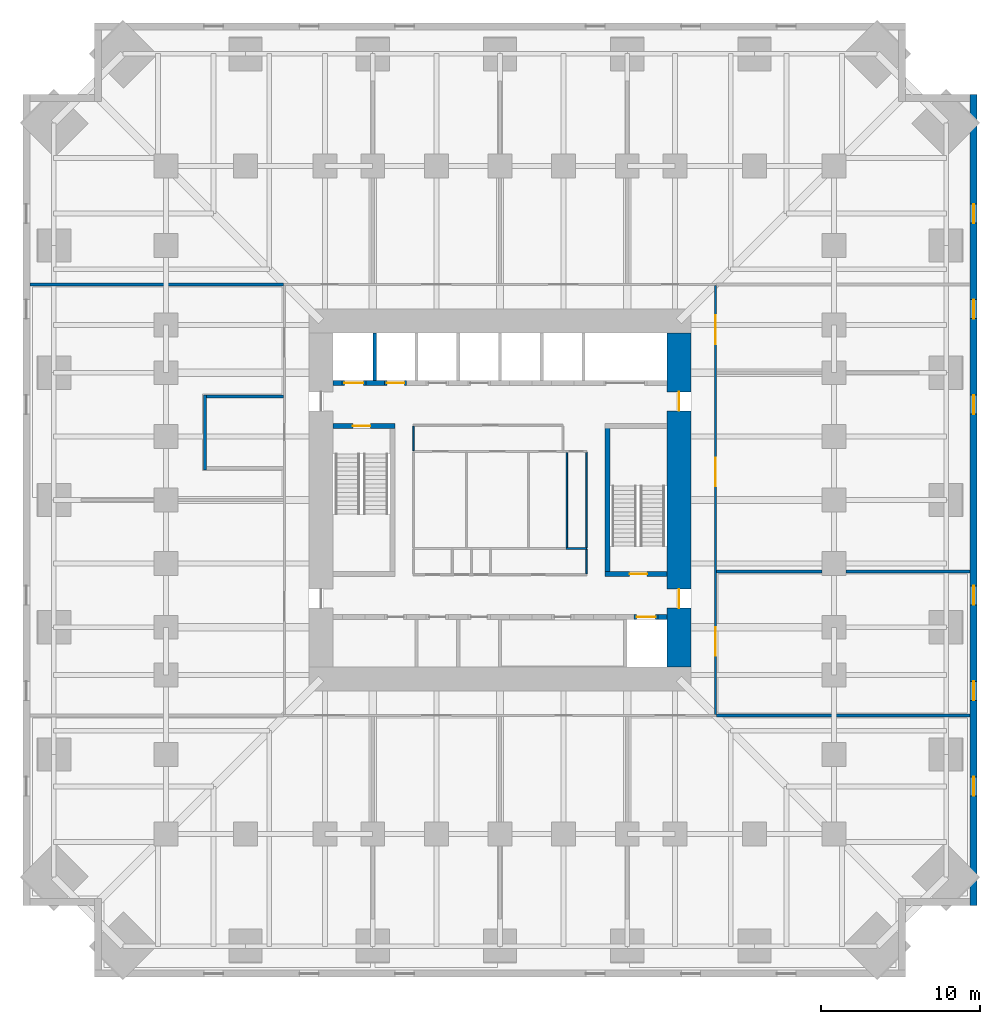
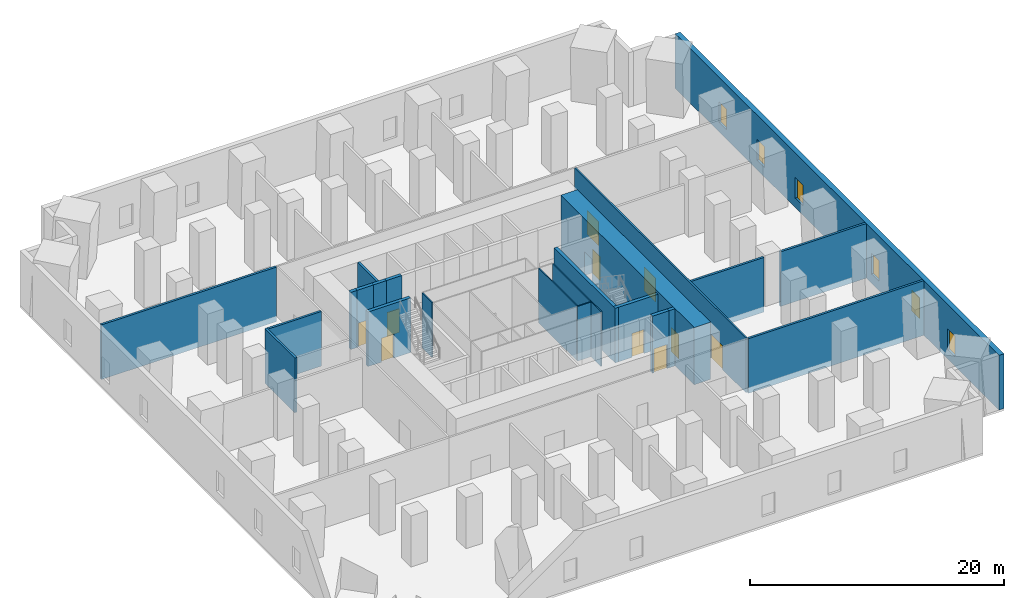
# One storey, part 5 of 8: 24 walls, 10 doors, 6 windows, 16 openings.
"""IFC4 building model written with IfcOpenShell, lengths in metres."""

import ifcopenshell
import ifcopenshell.guid

model = None  # the IFC model being written
_history = None  # IfcOwnerHistory: only IFC2X3 demands one
_inside = {}  # id of a spatial element -> (the spatial element, [elements in it])
_under = {}  # id of a project, library or spatial element -> (it, [spatial elements below it])
_declared = {}  # id of a project -> (the project, [libraries it declares])
_typed = {}  # id of a type object -> (the type object, [elements of that type])
_made_of = {}  # id of a material, layer set ... -> (it, [elements and type objects made of it])


def new_model(schema):
    """Start an empty IFC model of exactly this schema.

    Asked for "IFC4X3", IfcOpenShell would pick the latest addendum, in which some entities
    have other attributes; the version numbers below select the first issue.
    IFC2X3 requires an IfcOwnerHistory on every rooted entity: one is made here for all.
    """
    global model, _history
    if schema == "IFC4X3":
        model = ifcopenshell.file(schema_version=(4, 3, 0, 0))
    else:
        model = ifcopenshell.file(schema=schema)
    _inside.clear()
    _under.clear()
    _declared.clear()
    _typed.clear()
    _made_of.clear()
    _history = None
    if model.schema == "IFC2X3":
        org = make("IfcOrganization", Name="unknown")
        user = make(
            "IfcPersonAndOrganization",
            ThePerson=make("IfcPerson", FamilyName="unknown"),
            TheOrganization=org,
        )
        app = make(
            "IfcApplication",
            ApplicationDeveloper=org,
            Version="unknown",
            ApplicationFullName="unknown",
            ApplicationIdentifier="unknown",
        )
        _history = make(
            "IfcOwnerHistory",
            OwningUser=user,
            OwningApplication=app,
            ChangeAction="ADDED",
            CreationDate=0,
        )
    return model


def make(cls, **values):
    """One entity of the class cls with the attributes given. An attribute that is None is left unset."""
    return model.create_entity(
        cls, **{name: value for name, value in values.items() if value is not None}
    )


def rooted(cls, **values):
    """An entity with a GlobalId (a new one), such as an element, a storey or a relation."""
    return make(cls, GlobalId=ifcopenshell.guid.new(), OwnerHistory=_history, **values)


def si_unit(unit_type, name, prefix=None):
    """IfcSIUnit, for example si_unit("LENGTHUNIT", "METRE", prefix="MILLI")."""
    return make("IfcSIUnit", UnitType=unit_type, Prefix=prefix, Name=name)


def assignment(units):
    """IfcUnitAssignment: the units of a project."""
    return None if units is None else make("IfcUnitAssignment", Units=units)


def point(xyz):
    """IfcCartesianPoint."""
    return None if xyz is None else make("IfcCartesianPoint", Coordinates=xyz)


def direction(xyz):
    """IfcDirection."""
    return None if xyz is None else make("IfcDirection", DirectionRatios=xyz)


def frame(location, z_axis=None, x_axis=None):
    """IfcAxis2Placement3D, a coordinate frame: its origin and axes. An axis left out is left unset."""
    return make(
        "IfcAxis2Placement3D",
        Location=point(location),
        Axis=direction(z_axis),
        RefDirection=direction(x_axis),
    )


def frame_2d(location, x_axis=None):
    """IfcAxis2Placement2D, a coordinate frame in the plane: its origin and x axis."""
    return make(
        "IfcAxis2Placement2D", Location=point(location), RefDirection=direction(x_axis)
    )


def origin():
    """The frame at (0, 0, 0) with its axes left unset."""
    return frame((0.0, 0.0, 0.0))


def place(relative_to, where):
    """IfcLocalPlacement: puts the frame where relative to a parent placement (None: the world)."""
    return make(
        "IfcLocalPlacement", PlacementRelTo=relative_to, RelativePlacement=where
    )


def context(
    kind, dimensions, precision=None, world=None, true_north=None, identifier=None
):
    """IfcGeometricRepresentationContext, for example the 3D "Model" context."""
    return make(
        "IfcGeometricRepresentationContext",
        ContextIdentifier=identifier,
        ContextType=kind,
        CoordinateSpaceDimension=dimensions,
        Precision=precision,
        WorldCoordinateSystem=world,
        TrueNorth=true_north,
    )


def subcontext(parent, identifier, kind, view, scale=None):
    """IfcGeometricRepresentationSubContext, for example "Body" below "Model"."""
    return make(
        "IfcGeometricRepresentationSubContext",
        ContextIdentifier=identifier,
        ContextType=kind,
        ParentContext=parent,
        TargetScale=scale,
        TargetView=view,
    )


def project(units=None, contexts=None):
    """IfcProject with its units and contexts."""
    return rooted(
        "IfcProject",
        Name="project",
        RepresentationContexts=contexts,
        UnitsInContext=assignment(units),
    )


def spatial(cls, under=None, at=None, **own):
    """A site, building, storey or space (cls), placed at a placement, below another one or the project."""
    s = rooted(cls, ObjectPlacement=at, **own)
    if under is not None:
        _under.setdefault(under.id(), (under, []))[1].append(s)
    return s


def profile(cls, at=None, kind="AREA", **sizes):
    """A parametric profile (cls). Its sizes go by their IFC names, for example OverallWidth=200.0."""
    return make(cls, ProfileType=kind, Position=at, **sizes)


def rectangle(**sizes):
    """IfcRectangleProfileDef."""
    return profile("IfcRectangleProfileDef", **sizes)


def extrude(swept, where, along, depth):
    """IfcExtrudedAreaSolid: the profile swept, set in the frame where, extruded along a direction by depth."""
    return make(
        "IfcExtrudedAreaSolid",
        SweptArea=swept,
        Position=where,
        ExtrudedDirection=direction(along),
        Depth=depth,
    )


def shape(context_of_items, identifier, shape_type, items):
    """IfcShapeRepresentation: the items that make up one representation, for example the "Body"."""
    return make(
        "IfcShapeRepresentation",
        ContextOfItems=context_of_items,
        RepresentationIdentifier=identifier,
        RepresentationType=shape_type,
        Items=items,
    )


def material(Name=None, Category=None):
    """IfcMaterial."""
    return make("IfcMaterial", Name=Name, Category=Category)


def layer(
    of_material, thickness, ventilated=None, Name=None, Category=None, Priority=None
):
    """IfcMaterialLayer: one layer of a wall or slab, of a material (None: an air gap)."""
    return make(
        "IfcMaterialLayer",
        Material=of_material,
        LayerThickness=thickness,
        IsVentilated=ventilated,
        Name=Name,
        Category=Category,
        Priority=Priority,
    )


def layer_set(layers, Name=None):
    """IfcMaterialLayerSet."""
    return make("IfcMaterialLayerSet", MaterialLayers=layers, LayerSetName=Name)


def made_of(thing, what):
    """Note that an element or type object is made of a material, layer set ...; save() writes the relation."""
    if what is not None:
        _made_of.setdefault(what.id(), (what, []))[1].append(thing)
    return thing


def type_object(cls, material=None, **own):
    """A type object (cls), such as IfcWallType, which elements share."""
    return made_of(rooted(cls, **own), material)


def element(
    cls,
    number,
    at=None,
    inside=None,
    cuts=None,
    type_object=None,
    material=None,
    context=None,
    identifier="Body",
    shape_type=None,
    held_by="IfcProductDefinitionShape",
    body=None,
    shapes=None,
    **own,
):
    """One element of the class cls, such as IfcWall. Its Tag is "e" and its number.

    at: its placement. inside: the storey or other place that contains it. cuts: it is an
    opening in that element (IfcRelVoidsElement). A single representation is given by context,
    identifier, shape_type and body (its items); several are given by shapes. held_by: the class
    of the entity that holds the representations. save() writes the other relations.
    """
    e = rooted(cls, Tag="e%d" % number, ObjectPlacement=at, **own)
    if body is not None:
        shapes = [shape(context, identifier, shape_type, body)]
    if shapes is not None:
        e.Representation = make(held_by, Representations=shapes)
    if inside is not None:
        _inside.setdefault(inside.id(), (inside, []))[1].append(e)
    if cuts is not None:
        rooted(
            "IfcRelVoidsElement", RelatingBuildingElement=cuts, RelatedOpeningElement=e
        )
    if type_object is not None:
        _typed.setdefault(type_object.id(), (type_object, []))[1].append(e)
    return made_of(e, material)


def fill(opening, filler):
    """IfcRelFillsElement: the door or window that sits in an opening."""
    return rooted(
        "IfcRelFillsElement",
        RelatingOpeningElement=opening,
        RelatedBuildingElement=filler,
    )


def aggregate(whole, parts):
    """IfcRelAggregates: a whole, such as a stair, and the parts it consists of."""
    return rooted("IfcRelAggregates", RelatingObject=whole, RelatedObjects=parts)


def save(model, path):
    """Write the relations noted so far, then the file.

    IfcRelAggregates (storeys below a building ...), IfcRelContainedInSpatialStructure (elements
    in a storey), IfcRelDefinesByType, IfcRelAssociatesMaterial and IfcRelDeclares: one each for
    every whole, place, type object, material and project.
    """
    for whole, parts in _under.values():
        aggregate(whole, parts)
    for where, things in _inside.values():
        rooted(
            "IfcRelContainedInSpatialStructure",
            RelatedElements=things,
            RelatingStructure=where,
        )
    for kind, things in _typed.values():
        rooted("IfcRelDefinesByType", RelatedObjects=things, RelatingType=kind)
    for what, things in _made_of.values():
        rooted("IfcRelAssociatesMaterial", RelatedObjects=things, RelatingMaterial=what)
    for by, libraries in _declared.values():
        rooted("IfcRelDeclares", RelatingContext=by, RelatedDefinitions=libraries)
    model.write(path)


model = new_model("IFC4")

# Units and contexts
model_context = context("Model", 3, precision=1e-05, world=origin(), true_north=direction((0.0, 1.0)))
body_context = subcontext(model_context, "Body", "Model", "MODEL_VIEW")
ifc_project = project(units=[si_unit("LENGTHUNIT", "METRE"), si_unit("AREAUNIT", "SQUARE_METRE"), si_unit("VOLUMEUNIT", "CUBIC_METRE"), si_unit("PLANEANGLEUNIT", "RADIAN"), si_unit("MASSUNIT", "GRAM", prefix="KILO")], contexts=[model_context])

# Site, building, storey
site_placement = place(None, origin())
site = spatial("IfcSite", under=ifc_project, at=site_placement, CompositionType="ELEMENT")
building_placement = place(site_placement, origin())
building = spatial("IfcBuilding", under=site, at=building_placement, Name="Peilmerk Tower", CompositionType="ELEMENT")
storey_placement = place(building_placement, frame((0.0, 0.0, 70.5)))
storey = spatial("IfcBuildingStorey", under=building, at=storey_placement, Name="L13", CompositionType="ELEMENT", Elevation=70.5)

# Wall, openings, windows
ifc_material_1 = material(Name="Precast concrete C45/55, board-marked finish", Category="concrete")
ifc_layer_1 = layer(ifc_material_1, 0.449951171875)
ifc_layer_set_1 = layer_set([ifc_layer_1], Name="Precast concrete C45/55, board-marked finish")
wall_type_1 = type_object("IfcWallType", Name="EW1 450 precast concrete facade wall, board-marked", PredefinedType="SOLIDWALL", material=ifc_layer_set_1)
wall_1_placement = place(storey_placement, frame((29.77490234375, -25.5, 0.0), z_axis=(0.0, 0.0, 1.0), x_axis=(0.0, 1.0, 0.0)))
wall_1 = element("IfcWall", 1, at=wall_1_placement, inside=storey, type_object=wall_type_1, Name="Facade wall E L13", PredefinedType="SOLIDWALL", context=body_context, shape_type="SweptSolid", body=[
    extrude(rectangle(XDim=51.0, YDim=0.449951171875, at=frame_2d((25.5, 0.0))), origin(), (0.0, 0.0, 1.0), 5.25),
])
opening_1_placement = place(wall_1_placement, frame((6.89990234375, 0.0, 0.89990234375)))
opening_1 = element("IfcOpeningElement", 2, at=opening_1_placement, cuts=wall_1, Name="Opening W2", PredefinedType="OPENING", context=body_context, shape_type="SweptSolid", body=[
    extrude(rectangle(XDim=1.199951171875, YDim=2.0, at=frame_2d((0.60009765625, 1.0))), frame((0.0, 0.23486328125, 0.0), z_axis=(0.0, -1.0, 0.0), x_axis=(1.0, 0.0, 0.0)), (0.0, 0.0, 1.0), 0.469970703125),
])
opening_2_placement = place(wall_1_placement, frame((12.89990234375, 0.0, 0.89990234375)))
opening_2 = element("IfcOpeningElement", 3, at=opening_2_placement, cuts=wall_1, Name="Opening W2", PredefinedType="OPENING", context=body_context, shape_type="SweptSolid", body=[
    extrude(rectangle(XDim=1.199951171875, YDim=2.0, at=frame_2d((0.60009765625, 1.0))), frame((0.0, 0.23486328125, 0.0), z_axis=(0.0, -1.0, 0.0), x_axis=(1.0, 0.0, 0.0)), (0.0, 0.0, 1.0), 0.469970703125),
])
opening_3_placement = place(wall_1_placement, frame((18.89990234375, 0.0, 0.89990234375)))
opening_3 = element("IfcOpeningElement", 4, at=opening_3_placement, cuts=wall_1, Name="Opening W2", PredefinedType="OPENING", context=body_context, shape_type="SweptSolid", body=[
    extrude(rectangle(XDim=1.199951171875, YDim=2.0, at=frame_2d((0.60009765625, 1.0))), frame((0.0, 0.23486328125, 0.0), z_axis=(0.0, -1.0, 0.0), x_axis=(1.0, 0.0, 0.0)), (0.0, 0.0, 1.0), 0.469970703125),
])
opening_4_placement = place(wall_1_placement, frame((30.89990234375, 0.0, 0.89990234375)))
opening_4 = element("IfcOpeningElement", 5, at=opening_4_placement, cuts=wall_1, Name="Opening W2", PredefinedType="OPENING", context=body_context, shape_type="SweptSolid", body=[
    extrude(rectangle(XDim=1.199951171875, YDim=2.0, at=frame_2d((0.60009765625, 1.0))), frame((0.0, 0.23486328125, 0.0), z_axis=(0.0, -1.0, 0.0), x_axis=(1.0, 0.0, 0.0)), (0.0, 0.0, 1.0), 0.469970703125),
])
opening_5_placement = place(wall_1_placement, frame((36.89990234375, 0.0, 0.89990234375)))
opening_5 = element("IfcOpeningElement", 6, at=opening_5_placement, cuts=wall_1, Name="Opening W2", PredefinedType="OPENING", context=body_context, shape_type="SweptSolid", body=[
    extrude(rectangle(XDim=1.199951171875, YDim=2.0, at=frame_2d((0.60009765625, 1.0))), frame((0.0, 0.23486328125, 0.0), z_axis=(0.0, -1.0, 0.0), x_axis=(1.0, 0.0, 0.0)), (0.0, 0.0, 1.0), 0.469970703125),
])
opening_6_placement = place(wall_1_placement, frame((42.89990234375, 0.0, 0.89990234375)))
opening_6 = element("IfcOpeningElement", 7, at=opening_6_placement, cuts=wall_1, Name="Opening W2", PredefinedType="OPENING", context=body_context, shape_type="SweptSolid", body=[
    extrude(rectangle(XDim=1.199951171875, YDim=2.0, at=frame_2d((0.60009765625, 1.0))), frame((0.0, 0.23486328125, 0.0), z_axis=(0.0, -1.0, 0.0), x_axis=(1.0, 0.0, 0.0)), (0.0, 0.0, 1.0), 0.469970703125),
])
ifc_material_2 = material(Name="Aluminium frame, clear double glazing", Category="aluminium")
window_type = type_object("IfcWindowType", Name="W2 1200x2000 data hall slot window", PartitioningType="SINGLE_PANEL", PredefinedType="WINDOW", material=ifc_material_2)
window_1_placement = place(opening_1_placement, origin())
window_1 = element("IfcWindow", 8, at=window_1_placement, inside=storey, type_object=window_type, Name="Window W2 L13", OverallHeight=2.0, OverallWidth=1.199951171875, PartitioningType="SINGLE_PANEL", PredefinedType="WINDOW", context=body_context, shape_type="SweptSolid", body=[
    extrude(rectangle(XDim=1.199951171875, YDim=2.0, at=frame_2d((0.60009765625, 1.0))), frame((0.0, 0.030029296875, 0.0), z_axis=(0.0, -1.0, 0.0), x_axis=(1.0, 0.0, 0.0)), (0.0, 0.0, 1.0), 0.06005859375),
])
fill(opening_1, window_1)
window_2_placement = place(opening_2_placement, origin())
window_2 = element("IfcWindow", 9, at=window_2_placement, inside=storey, type_object=window_type, Name="Window W2 L13", OverallHeight=2.0, OverallWidth=1.199951171875, PartitioningType="SINGLE_PANEL", PredefinedType="WINDOW", context=body_context, shape_type="SweptSolid", body=[
    extrude(rectangle(XDim=1.199951171875, YDim=2.0, at=frame_2d((0.60009765625, 1.0))), frame((0.0, 0.030029296875, 0.0), z_axis=(0.0, -1.0, 0.0), x_axis=(1.0, 0.0, 0.0)), (0.0, 0.0, 1.0), 0.06005859375),
])
fill(opening_2, window_2)
window_3_placement = place(opening_3_placement, origin())
window_3 = element("IfcWindow", 10, at=window_3_placement, inside=storey, type_object=window_type, Name="Window W2 L13", OverallHeight=2.0, OverallWidth=1.199951171875, PartitioningType="SINGLE_PANEL", PredefinedType="WINDOW", context=body_context, shape_type="SweptSolid", body=[
    extrude(rectangle(XDim=1.199951171875, YDim=2.0, at=frame_2d((0.60009765625, 1.0))), frame((0.0, 0.030029296875, 0.0), z_axis=(0.0, -1.0, 0.0), x_axis=(1.0, 0.0, 0.0)), (0.0, 0.0, 1.0), 0.06005859375),
])
fill(opening_3, window_3)
window_4_placement = place(opening_4_placement, origin())
window_4 = element("IfcWindow", 11, at=window_4_placement, inside=storey, type_object=window_type, Name="Window W2 L13", OverallHeight=2.0, OverallWidth=1.199951171875, PartitioningType="SINGLE_PANEL", PredefinedType="WINDOW", context=body_context, shape_type="SweptSolid", body=[
    extrude(rectangle(XDim=1.199951171875, YDim=2.0, at=frame_2d((0.60009765625, 1.0))), frame((0.0, 0.030029296875, 0.0), z_axis=(0.0, -1.0, 0.0), x_axis=(1.0, 0.0, 0.0)), (0.0, 0.0, 1.0), 0.06005859375),
])
fill(opening_4, window_4)
window_5_placement = place(opening_5_placement, origin())
window_5 = element("IfcWindow", 12, at=window_5_placement, inside=storey, type_object=window_type, Name="Window W2 L13", OverallHeight=2.0, OverallWidth=1.199951171875, PartitioningType="SINGLE_PANEL", PredefinedType="WINDOW", context=body_context, shape_type="SweptSolid", body=[
    extrude(rectangle(XDim=1.199951171875, YDim=2.0, at=frame_2d((0.60009765625, 1.0))), frame((0.0, 0.030029296875, 0.0), z_axis=(0.0, -1.0, 0.0), x_axis=(1.0, 0.0, 0.0)), (0.0, 0.0, 1.0), 0.06005859375),
])
fill(opening_5, window_5)
window_6_placement = place(opening_6_placement, origin())
window_6 = element("IfcWindow", 13, at=window_6_placement, inside=storey, type_object=window_type, Name="Window W2 L13", OverallHeight=2.0, OverallWidth=1.199951171875, PartitioningType="SINGLE_PANEL", PredefinedType="WINDOW", context=body_context, shape_type="SweptSolid", body=[
    extrude(rectangle(XDim=1.199951171875, YDim=2.0, at=frame_2d((0.60009765625, 1.0))), frame((0.0, 0.030029296875, 0.0), z_axis=(0.0, -1.0, 0.0), x_axis=(1.0, 0.0, 0.0)), (0.0, 0.0, 1.0), 0.06005859375),
])
fill(opening_6, window_6)

# Wall, openings, doors
ifc_material_3 = material(Name="Calcium silicate block", Category="masonry")
ifc_layer_2 = layer(ifc_material_3, 0.14990234375)
ifc_layer_set_2 = layer_set([ifc_layer_2], Name="Calcium silicate block")
wall_type_2 = type_object("IfcWallType", Name="IW1 150 corridor partition, EI 60", PredefinedType="PARTITIONING", material=ifc_layer_set_2)
wall_2_placement = place(storey_placement, frame((13.550048828125, -13.47509765625, 0.0), z_axis=(0.0, 0.0, 1.0), x_axis=(0.0, 1.0, 0.0)))
wall_2 = element("IfcWall", 14, at=wall_2_placement, inside=storey, type_object=wall_type_2, Name="Corridor wall E L13", PredefinedType="PARTITIONING", context=body_context, shape_type="SweptSolid", body=[
    extrude(rectangle(XDim=26.9501953125, YDim=0.14990234375, at=frame_2d((13.47509765625, 0.0))), origin(), (0.0, 0.0, 1.0), 5.25),
])
opening_7_placement = place(wall_2_placement, frame((3.675048828125, 0.0, 0.0)))
opening_7 = element("IfcOpeningElement", 15, at=opening_7_placement, cuts=wall_2, Name="Opening D2", PredefinedType="OPENING", context=body_context, shape_type="SweptSolid", body=[
    extrude(rectangle(XDim=1.800048828125, YDim=2.300048828125, at=frame_2d((0.89990234375, 1.14990234375))), frame((0.0, 0.0849609375, 0.0), z_axis=(0.0, -1.0, 0.0), x_axis=(1.0, 0.0, 0.0)), (0.0, 0.0, 1.0), 0.169921875),
])
opening_8_placement = place(wall_2_placement, frame((14.324951171875, 0.0, 0.0)))
opening_8 = element("IfcOpeningElement", 16, at=opening_8_placement, cuts=wall_2, Name="Opening D2", PredefinedType="OPENING", context=body_context, shape_type="SweptSolid", body=[
    extrude(rectangle(XDim=1.800048828125, YDim=2.300048828125, at=frame_2d((0.89990234375, 1.14990234375))), frame((0.0, 0.0849609375, 0.0), z_axis=(0.0, -1.0, 0.0), x_axis=(1.0, 0.0, 0.0)), (0.0, 0.0, 1.0), 0.169921875),
])
opening_9_placement = place(wall_2_placement, frame((23.27490234375, 0.0, 0.0)))
opening_9 = element("IfcOpeningElement", 17, at=opening_9_placement, cuts=wall_2, Name="Opening D2", PredefinedType="OPENING", context=body_context, shape_type="SweptSolid", body=[
    extrude(rectangle(XDim=1.800048828125, YDim=2.300048828125, at=frame_2d((0.89990234375, 1.14990234375))), frame((0.0, 0.0849609375, 0.0), z_axis=(0.0, -1.0, 0.0), x_axis=(1.0, 0.0, 0.0)), (0.0, 0.0, 1.0), 0.169921875),
])
ifc_material_4 = material(Name="Steel door in steel frame", Category="steel")
door_type_1 = type_object("IfcDoorType", Name="D2 1800x2300 double door, EI2 60", OperationType="DOUBLE_DOOR_DOUBLE_SWING", PredefinedType="DOOR", material=ifc_material_4)
door_1_placement = place(opening_7_placement, frame((1.800048828125, 0.0, 0.0), z_axis=(0.0, 0.0, 1.0), x_axis=(-1.0, 0.0, 0.0)))
door_1 = element("IfcDoor", 18, at=door_1_placement, inside=storey, type_object=door_type_1, Name="Door UPS room L13", OperationType="DOUBLE_DOOR_DOUBLE_SWING", OverallHeight=2.300048828125, OverallWidth=1.800048828125, PredefinedType="DOOR", context=body_context, shape_type="SweptSolid", body=[
    extrude(rectangle(XDim=1.800048828125, YDim=2.300048828125, at=frame_2d((0.89990234375, 1.14990234375))), frame((0.0, 0.02490234375, 0.0), z_axis=(0.0, -1.0, 0.0), x_axis=(1.0, 0.0, 0.0)), (0.0, 0.0, 1.0), 0.050048828125),
])
fill(opening_7, door_1)
door_2_placement = place(opening_8_placement, frame((1.800048828125, 0.0, 0.0), z_axis=(0.0, 0.0, 1.0), x_axis=(-1.0, 0.0, 0.0)))
door_2 = element("IfcDoor", 19, at=door_2_placement, inside=storey, type_object=door_type_1, Name="Door Battery room L13", OperationType="DOUBLE_DOOR_DOUBLE_SWING", OverallHeight=2.300048828125, OverallWidth=1.800048828125, PredefinedType="DOOR", context=body_context, shape_type="SweptSolid", body=[
    extrude(rectangle(XDim=1.800048828125, YDim=2.300048828125, at=frame_2d((0.89990234375, 1.14990234375))), frame((0.0, 0.02490234375, 0.0), z_axis=(0.0, -1.0, 0.0), x_axis=(1.0, 0.0, 0.0)), (0.0, 0.0, 1.0), 0.050048828125),
])
fill(opening_8, door_2)
door_3_placement = place(opening_9_placement, frame((1.800048828125, 0.0, 0.0), z_axis=(0.0, 0.0, 1.0), x_axis=(-1.0, 0.0, 0.0)))
door_3 = element("IfcDoor", 20, at=door_3_placement, inside=storey, type_object=door_type_1, Name="Door Switchgear room L13", OperationType="DOUBLE_DOOR_DOUBLE_SWING", OverallHeight=2.300048828125, OverallWidth=1.800048828125, PredefinedType="DOOR", context=body_context, shape_type="SweptSolid", body=[
    extrude(rectangle(XDim=1.800048828125, YDim=2.300048828125, at=frame_2d((0.89990234375, 1.14990234375))), frame((0.0, 0.02490234375, 0.0), z_axis=(0.0, -1.0, 0.0), x_axis=(1.0, 0.0, 0.0)), (0.0, 0.0, 1.0), 0.050048828125),
])
fill(opening_9, door_3)

# Walls
ifc_layer_3 = layer(ifc_material_3, 0.199951171875)
ifc_layer_set_3 = layer_set([ifc_layer_3], Name="Calcium silicate block")
wall_type_3 = type_object("IfcWallType", Name="IW2 200 room separating wall, EI 120", PredefinedType="PARTITIONING", material=ifc_layer_set_3)
for number, where, z_axis, x_axis, name in (
    (21, (-29.550048828125, 13.550048828125, 0.0), (0.0, 0.0, 1.0), (1.0, 0.0, 0.0), "Room separating wall NW L13"),
    (22, (29.550048828125, -13.550048828125, 0.0), (0.0, 0.0, 1.0), (-1.0, 0.0, 0.0), "Room separating wall SE L13"),
):
    element("IfcWall", number, at=place(storey_placement, frame(where, z_axis=z_axis, x_axis=x_axis)), inside=storey, type_object=wall_type_3, Name=name, PredefinedType="PARTITIONING", context=body_context, shape_type="SweptSolid", body=[
        extrude(rectangle(XDim=15.925048828125, YDim=0.199951171875, at=frame_2d((7.96240234375, 0.0))), origin(), (0.0, 0.0, 1.0), 5.25),
    ])
wall_3_placement = place(storey_placement, frame((13.625, -4.5, 0.0), z_axis=(0.0, 0.0, 1.0), x_axis=(1.0, 0.0, 0.0)))
element("IfcWall", 23, at=wall_3_placement, inside=storey, type_object=wall_type_3, Name="Room separating wall E1 L13", PredefinedType="PARTITIONING", context=body_context, shape_type="SweptSolid", body=[
    extrude(rectangle(XDim=6.625, YDim=0.199951171875, at=frame_2d((3.3125, 0.0))), origin(), (0.0, 0.0, 1.0), 5.25),
])
wall_4_placement = place(storey_placement, frame((21.75, -4.5, 0.0), z_axis=(0.0, 0.0, 1.0), x_axis=(1.0, 0.0, 0.0)))
element("IfcWall", 24, at=wall_4_placement, inside=storey, type_object=wall_type_3, Name="Room separating wall E1b L13", PredefinedType="PARTITIONING", context=body_context, shape_type="SweptSolid", body=[
    extrude(rectangle(XDim=7.800048828125, YDim=0.199951171875, at=frame_2d((3.89990234375, 0.0))), origin(), (0.0, 0.0, 1.0), 5.25),
])
wall_5_placement = place(storey_placement, frame((-18.550048828125, 1.89990234375, 0.0), z_axis=(0.0, 0.0, 1.0), x_axis=(0.0, 1.0, 0.0)))
element("IfcWall", 25, at=wall_5_placement, inside=storey, type_object=wall_type_3, Name="Room separating wall Operations office L13", PredefinedType="PARTITIONING", context=body_context, shape_type="SweptSolid", body=[
    extrude(rectangle(XDim=4.7001953125, YDim=0.199951171875, at=frame_2d((2.35009765625, 0.0))), origin(), (0.0, 0.0, 1.0), 5.25),
])
wall_6_placement = place(storey_placement, frame((-13.625, 6.5, 0.0), z_axis=(0.0, 0.0, 1.0), x_axis=(-1.0, 0.0, 0.0)))
element("IfcWall", 26, at=wall_6_placement, inside=storey, type_object=wall_type_3, Name="Room separating wall Operations office L13", PredefinedType="PARTITIONING", context=body_context, shape_type="SweptSolid", body=[
    extrude(rectangle(XDim=4.824951171875, YDim=0.199951171875, at=frame_2d((2.41259765625, 0.0))), origin(), (0.0, 0.0, 1.0), 5.25),
])

# Wall, opening, door
ifc_material_5 = material(Name="Concrete C35/45", Category="concrete")
ifc_layer_4 = layer(ifc_material_5, 0.300048828125)
ifc_layer_set_4 = layer_set([ifc_layer_4], Name="Concrete C35/45")
wall_type_4 = type_object("IfcWallType", Name="IW3 300 concrete stair enclosure wall, EI 120", PredefinedType="SOLIDWALL", material=ifc_layer_set_4)
wall_7_placement = place(storey_placement, frame((-10.5, 4.64990234375, 0.0), z_axis=(0.0, 0.0, 1.0), x_axis=(1.0, 0.0, 0.0)))
wall_7 = element("IfcWall", 27, at=wall_7_placement, inside=storey, type_object=wall_type_4, Name="Stair 1 enclosure L13", PredefinedType="SOLIDWALL", context=body_context, shape_type="SweptSolid", body=[
    extrude(rectangle(XDim=3.89990234375, YDim=0.300048828125, at=frame_2d((1.949951171875, 0.0))), origin(), (0.0, 0.0, 1.0), 5.25),
])
opening_10_placement = place(wall_7_placement, frame((1.25, 0.0, 0.0)))
opening_10 = element("IfcOpeningElement", 28, at=opening_10_placement, cuts=wall_7, Name="Opening D4", PredefinedType="OPENING", context=body_context, shape_type="SweptSolid", body=[
    extrude(rectangle(XDim=1.10009765625, YDim=2.300048828125, at=frame_2d((0.550048828125, 1.14990234375))), frame((0.0, 0.159912109375, 0.0), z_axis=(0.0, -1.0, 0.0), x_axis=(1.0, 0.0, 0.0)), (0.0, 0.0, 1.0), 0.320068359375),
])
door_type_2 = type_object("IfcDoorType", Name="D4 1100x2300 stair door, EI2 60", OperationType="SINGLE_SWING_RIGHT", PredefinedType="DOOR", material=ifc_material_4)
door_4_placement = place(opening_10_placement, frame((1.10009765625, 0.0, 0.0), z_axis=(0.0, 0.0, 1.0), x_axis=(-1.0, 0.0, 0.0)))
door_4 = element("IfcDoor", 29, at=door_4_placement, inside=storey, type_object=door_type_2, Name="Stair 1 door L13", OperationType="SINGLE_SWING_RIGHT", OverallHeight=2.300048828125, OverallWidth=1.10009765625, PredefinedType="DOOR", context=body_context, shape_type="SweptSolid", body=[
    extrude(rectangle(XDim=1.10009765625, YDim=2.300048828125, at=frame_2d((0.550048828125, 1.14990234375))), frame((0.0, 0.02490234375, 0.0), z_axis=(0.0, -1.0, 0.0), x_axis=(1.0, 0.0, 0.0)), (0.0, 0.0, 1.0), 0.050048828125),
])
fill(opening_10, door_4)

# Wall
wall_8_placement = place(storey_placement, frame((6.75, -4.800048828125, 0.0), z_axis=(0.0, 0.0, 1.0), x_axis=(0.0, 1.0, 0.0)))
element("IfcWall", 30, at=wall_8_placement, inside=storey, type_object=wall_type_4, Name="Stair 2 enclosure L13", PredefinedType="SOLIDWALL", context=body_context, shape_type="SweptSolid", body=[
    extrude(rectangle(XDim=9.60009765625, YDim=0.300048828125, at=frame_2d((4.800048828125, 0.0))), origin(), (0.0, 0.0, 1.0), 5.25),
])

# Wall, opening, door
wall_9_placement = place(storey_placement, frame((10.5, -4.64990234375, 0.0), z_axis=(0.0, 0.0, 1.0), x_axis=(-1.0, 0.0, 0.0)))
wall_9 = element("IfcWall", 31, at=wall_9_placement, inside=storey, type_object=wall_type_4, Name="Stair 2 enclosure L13", PredefinedType="SOLIDWALL", context=body_context, shape_type="SweptSolid", body=[
    extrude(rectangle(XDim=3.89990234375, YDim=0.300048828125, at=frame_2d((1.949951171875, 0.0))), origin(), (0.0, 0.0, 1.0), 5.25),
])
opening_11_placement = place(wall_9_placement, frame((1.25, 0.0, 0.0)))
opening_11 = element("IfcOpeningElement", 32, at=opening_11_placement, cuts=wall_9, Name="Opening D4", PredefinedType="OPENING", context=body_context, shape_type="SweptSolid", body=[
    extrude(rectangle(XDim=1.10009765625, YDim=2.300048828125, at=frame_2d((0.550048828125, 1.14990234375))), frame((0.0, 0.159912109375, 0.0), z_axis=(0.0, -1.0, 0.0), x_axis=(1.0, 0.0, 0.0)), (0.0, 0.0, 1.0), 0.320068359375),
])
door_5_placement = place(opening_11_placement, frame((1.10009765625, 0.0, 0.0), z_axis=(0.0, 0.0, 1.0), x_axis=(-1.0, 0.0, 0.0)))
door_5 = element("IfcDoor", 33, at=door_5_placement, inside=storey, type_object=door_type_2, Name="Stair 2 door L13", OperationType="SINGLE_SWING_RIGHT", OverallHeight=2.300048828125, OverallWidth=1.10009765625, PredefinedType="DOOR", context=body_context, shape_type="SweptSolid", body=[
    extrude(rectangle(XDim=1.10009765625, YDim=2.300048828125, at=frame_2d((0.550048828125, 1.14990234375))), frame((0.0, 0.02490234375, 0.0), z_axis=(0.0, -1.0, 0.0), x_axis=(1.0, 0.0, 0.0)), (0.0, 0.0, 1.0), 0.050048828125),
])
fill(opening_11, door_5)

# Walls
ifc_material_6 = material(Name="Calcium silicate board on steel studs", Category="steel")
ifc_layer_5 = layer(ifc_material_6, 0.10009765625)
ifc_layer_set_5 = layer_set([ifc_layer_5], Name="Calcium silicate board on steel studs")
wall_type_5 = type_object("IfcWallType", Name="IW5 100 riser enclosure wall, EI 60", PredefinedType="PARTITIONING", material=ifc_layer_set_5)
wall_10_placement = place(storey_placement, frame((5.449951171875, -3.050048828125, 0.0), z_axis=(0.0, 0.0, 1.0), x_axis=(-1.0, 0.0, 0.0)))
element("IfcWall", 34, at=wall_10_placement, inside=storey, type_object=wall_type_5, Name="Riser wall L13", PredefinedType="PARTITIONING", context=body_context, shape_type="SweptSolid", body=[
    extrude(rectangle(XDim=1.300048828125, YDim=0.10009765625, at=frame_2d((0.64990234375, 0.0))), origin(), (0.0, 0.0, 1.0), 5.25),
])
for number, where, z_axis, x_axis, name in (
    (35, (5.449951171875, 3.0, 0.0), (0.0, 0.0, 1.0), (0.0, -1.0, 0.0), "Riser wall L13"),
    (36, (4.199951171875, -3.0, 0.0), (0.0, 0.0, 1.0), (0.0, 1.0, 0.0), "Riser wall L13"),
):
    element("IfcWall", number, at=place(storey_placement, frame(where, z_axis=z_axis, x_axis=x_axis)), inside=storey, type_object=wall_type_5, Name=name, PredefinedType="PARTITIONING", context=body_context, shape_type="SweptSolid", body=[
        extrude(rectangle(XDim=6.0, YDim=0.10009765625, at=frame_2d((3.0, 0.0))), origin(), (0.0, 0.0, 1.0), 5.25),
    ])
wall_11_placement = place(storey_placement, frame((5.449951171875, -3.10009765625, 0.0), z_axis=(0.0, 0.0, 1.0), x_axis=(0.0, -1.0, 0.0)))
element("IfcWall", 37, at=wall_11_placement, inside=storey, type_object=wall_type_5, Name="Riser wall L13", PredefinedType="PARTITIONING", context=body_context, shape_type="SweptSolid", body=[
    extrude(rectangle(XDim=1.5498046875, YDim=0.10009765625, at=frame_2d((0.77490234375, 0.0))), origin(), (0.0, 0.0, 1.0), 5.25),
])
ifc_material_7 = material(Name="Fire-resisting plasterboard on steel studs", Category="steel")
ifc_layer_6 = layer(ifc_material_7, 0.10009765625)
ifc_layer_set_6 = layer_set([ifc_layer_6], Name="Fire-resisting plasterboard on steel studs")
wall_type_6 = type_object("IfcWallType", Name="IW9 100 WC lobby wall, EI 30", PredefinedType="PARTITIONING", material=ifc_layer_set_6)
wall_12_placement = place(storey_placement, frame((-5.449951171875, 3.10009765625, 0.0), z_axis=(0.0, 0.0, 1.0), x_axis=(0.0, 1.0, 0.0)))
element("IfcWall", 38, at=wall_12_placement, inside=storey, type_object=wall_type_6, Name="WC lobby wall L13", PredefinedType="PARTITIONING", context=body_context, shape_type="SweptSolid", body=[
    extrude(rectangle(XDim=1.5498046875, YDim=0.10009765625, at=frame_2d((0.77490234375, 0.0))), origin(), (0.0, 0.0, 1.0), 5.25),
])
ifc_layer_7 = layer(ifc_material_3, 0.199951171875)
ifc_layer_set_7 = layer_set([ifc_layer_7], Name="Calcium silicate block")
wall_type_7 = type_object("IfcWallType", Name="SH1 200 shaft dividing wall, EI 120", PredefinedType="PARTITIONING", material=ifc_layer_set_7)
wall_13_placement = place(storey_placement, frame((-7.875, 7.5, 0.0), z_axis=(0.0, 0.0, 1.0), x_axis=(0.0, 1.0, 0.0)))
element("IfcWall", 39, at=wall_13_placement, inside=storey, type_object=wall_type_7, Name="Shaft wall N FL1 L13", PredefinedType="PARTITIONING", context=body_context, shape_type="SweptSolid", body=[
    extrude(rectangle(XDim=3.0, YDim=0.199951171875, at=frame_2d((1.5, 0.0))), origin(), (0.0, 0.0, 1.0), 5.5),
])

# Wall, opening, door
ifc_layer_8 = layer(ifc_material_3, 0.300048828125)
ifc_layer_set_8 = layer_set([ifc_layer_8], Name="Calcium silicate block")
wall_type_8 = type_object("IfcWallType", Name="SH2 300 lift landing door panel, EI 120", PredefinedType="PARTITIONING", material=ifc_layer_set_8)
wall_14_placement = place(storey_placement, frame((-9.9375, 7.35009765625, 0.0), z_axis=(0.0, 0.0, 1.0), x_axis=(1.0, 0.0, 0.0)))
wall_14 = element("IfcWall", 40, at=wall_14_placement, inside=storey, type_object=wall_type_8, Name="Lift door panel N FL1 L13", PredefinedType="PARTITIONING", context=body_context, shape_type="SweptSolid", body=[
    extrude(rectangle(XDim=1.5, YDim=0.300048828125, at=frame_2d((0.75, 0.0))), origin(), (0.0, 0.0, 1.0), 5.5),
])
opening_12_placement = place(wall_14_placement, frame((0.14990234375, 0.0, 0.0)))
opening_12 = element("IfcOpeningElement", 41, at=opening_12_placement, cuts=wall_14, Name="Opening LD2", PredefinedType="OPENING", context=body_context, shape_type="SweptSolid", body=[
    extrude(rectangle(XDim=1.199951171875, YDim=2.300048828125, at=frame_2d((0.60009765625, 1.14990234375))), frame((0.0, 0.159912109375, 0.0), z_axis=(0.0, -1.0, 0.0), x_axis=(1.0, 0.0, 0.0)), (0.0, 0.0, 1.0), 0.320068359375),
])
ifc_material_8 = material(Name="Stainless steel landing door", Category="steel")
door_type_3 = type_object("IfcDoorType", Name="LD2 1200x2300 lift landing door, sliding, EI2 60", OperationType="SLIDING_TO_LEFT", PredefinedType="DOOR", material=ifc_material_8)
door_6_placement = place(opening_12_placement, frame((1.199951171875, 0.0, 0.0), z_axis=(0.0, 0.0, 1.0), x_axis=(-1.0, 0.0, 0.0)))
door_6 = element("IfcDoor", 42, at=door_6_placement, inside=storey, type_object=door_type_3, Name="Lift landing door FL1 L13", OperationType="SLIDING_TO_LEFT", OverallHeight=2.300048828125, OverallWidth=1.199951171875, PredefinedType="DOOR", context=body_context, shape_type="SweptSolid", body=[
    extrude(rectangle(XDim=1.199951171875, YDim=2.300048828125, at=frame_2d((0.60009765625, 1.14990234375))), frame((0.0, 0.02490234375, 0.0), z_axis=(0.0, -1.0, 0.0), x_axis=(1.0, 0.0, 0.0)), (0.0, 0.0, 1.0), 0.050048828125),
])
fill(opening_12, door_6)

wall_15_placement = place(storey_placement, frame((-7.262451171875, 7.35009765625, 0.0), z_axis=(0.0, 0.0, 1.0), x_axis=(1.0, 0.0, 0.0)))
wall_15 = element("IfcWall", 43, at=wall_15_placement, inside=storey, type_object=wall_type_8, Name="Lift door panel N A1 L13", PredefinedType="PARTITIONING", context=body_context, shape_type="SweptSolid", body=[
    extrude(rectangle(XDim=1.39990234375, YDim=0.300048828125, at=frame_2d((0.699951171875, 0.0))), origin(), (0.0, 0.0, 1.0), 5.5),
])
opening_13_placement = place(wall_15_placement, frame((0.14990234375, 0.0, 0.0)))
opening_13 = element("IfcOpeningElement", 44, at=opening_13_placement, cuts=wall_15, Name="Opening LD1", PredefinedType="OPENING", context=body_context, shape_type="SweptSolid", body=[
    extrude(rectangle(XDim=1.10009765625, YDim=2.300048828125, at=frame_2d((0.550048828125, 1.14990234375))), frame((0.0, 0.159912109375, 0.0), z_axis=(0.0, -1.0, 0.0), x_axis=(1.0, 0.0, 0.0)), (0.0, 0.0, 1.0), 0.320068359375),
])
door_type_4 = type_object("IfcDoorType", Name="LD1 1100x2300 lift landing door, sliding, EI2 60", OperationType="SLIDING_TO_LEFT", PredefinedType="DOOR", material=ifc_material_8)
door_7_placement = place(opening_13_placement, frame((1.10009765625, 0.0, 0.0), z_axis=(0.0, 0.0, 1.0), x_axis=(-1.0, 0.0, 0.0)))
door_7 = element("IfcDoor", 45, at=door_7_placement, inside=storey, type_object=door_type_4, Name="Lift landing door A1 L13", OperationType="SLIDING_TO_LEFT", OverallHeight=2.300048828125, OverallWidth=1.10009765625, PredefinedType="DOOR", context=body_context, shape_type="SweptSolid", body=[
    extrude(rectangle(XDim=1.10009765625, YDim=2.300048828125, at=frame_2d((0.550048828125, 1.14990234375))), frame((0.0, 0.02490234375, 0.0), z_axis=(0.0, -1.0, 0.0), x_axis=(1.0, 0.0, 0.0)), (0.0, 0.0, 1.0), 0.050048828125),
])
fill(opening_13, door_7)

wall_16_placement = place(storey_placement, frame((8.4375, -7.35009765625, 0.0), z_axis=(0.0, 0.0, 1.0), x_axis=(1.0, 0.0, 0.0)))
wall_16 = element("IfcWall", 46, at=wall_16_placement, inside=storey, type_object=wall_type_8, Name="Lift door panel S FL2 L13", PredefinedType="PARTITIONING", context=body_context, shape_type="SweptSolid", body=[
    extrude(rectangle(XDim=1.5, YDim=0.300048828125, at=frame_2d((0.75, 0.0))), origin(), (0.0, 0.0, 1.0), 5.5),
])
opening_14_placement = place(wall_16_placement, frame((0.14990234375, 0.0, 0.0)))
opening_14 = element("IfcOpeningElement", 47, at=opening_14_placement, cuts=wall_16, Name="Opening LD2", PredefinedType="OPENING", context=body_context, shape_type="SweptSolid", body=[
    extrude(rectangle(XDim=1.199951171875, YDim=2.300048828125, at=frame_2d((0.60009765625, 1.14990234375))), frame((0.0, 0.159912109375, 0.0), z_axis=(0.0, -1.0, 0.0), x_axis=(1.0, 0.0, 0.0)), (0.0, 0.0, 1.0), 0.320068359375),
])
door_8_placement = place(opening_14_placement, origin())
door_8 = element("IfcDoor", 48, at=door_8_placement, inside=storey, type_object=door_type_3, Name="Lift landing door FL2 L13", OperationType="SLIDING_TO_LEFT", OverallHeight=2.300048828125, OverallWidth=1.199951171875, PredefinedType="DOOR", context=body_context, shape_type="SweptSolid", body=[
    extrude(rectangle(XDim=1.199951171875, YDim=2.300048828125, at=frame_2d((0.60009765625, 1.14990234375))), frame((0.0, 0.02490234375, 0.0), z_axis=(0.0, -1.0, 0.0), x_axis=(1.0, 0.0, 0.0)), (0.0, 0.0, 1.0), 0.050048828125),
])
fill(opening_14, door_8)

# Wall, openings, doors
ifc_material_9 = material(Name="Concrete C55/67", Category="concrete")
ifc_layer_9 = layer(ifc_material_9, 1.5)
ifc_layer_set_9 = layer_set([ifc_layer_9], Name="Concrete C55/67")
wall_type_9 = type_object("IfcWallType", Name="SW1 1500 core wall", PredefinedType="SHEAR", material=ifc_layer_set_9)
wall_17_placement = place(storey_placement, frame((11.25, 10.5, 0.0), z_axis=(0.0, 0.0, 1.0), x_axis=(0.0, -1.0, 0.0)))
wall_17 = element("IfcWall", 49, at=wall_17_placement, inside=storey, type_object=wall_type_9, Name="Core wall E L13", PredefinedType="SHEAR", context=body_context, shape_type="SweptSolid", body=[
    extrude(rectangle(XDim=21.0, YDim=1.5, at=frame_2d((10.5, 0.0))), origin(), (0.0, 0.0, 1.0), 5.5),
])
opening_15_placement = place(wall_17_placement, frame((3.699951171875, 0.0, 0.0)))
opening_15 = element("IfcOpeningElement", 50, at=opening_15_placement, cuts=wall_17, Name="Opening D3", PredefinedType="OPENING", context=body_context, shape_type="SweptSolid", body=[
    extrude(rectangle(XDim=1.199951171875, YDim=2.300048828125, at=frame_2d((0.60009765625, 1.14990234375))), frame((0.0, 0.760009765625, 0.0), z_axis=(0.0, -1.0, 0.0), x_axis=(1.0, 0.0, 0.0)), (0.0, 0.0, 1.0), 1.52001953125),
])
opening_16_placement = place(wall_17_placement, frame((16.10009765625, 0.0, 0.0)))
opening_16 = element("IfcOpeningElement", 51, at=opening_16_placement, cuts=wall_17, Name="Opening D3", PredefinedType="OPENING", context=body_context, shape_type="SweptSolid", body=[
    extrude(rectangle(XDim=1.199951171875, YDim=2.300048828125, at=frame_2d((0.60009765625, 1.14990234375))), frame((0.0, 0.760009765625, 0.0), z_axis=(0.0, -1.0, 0.0), x_axis=(1.0, 0.0, 0.0)), (0.0, 0.0, 1.0), 1.52001953125),
])
door_type_5 = type_object("IfcDoorType", Name="D3 1200x2300 core door, EI2 60", OperationType="SINGLE_SWING_LEFT", PredefinedType="DOOR", material=ifc_material_4)
door_9_placement = place(opening_15_placement, frame((1.199951171875, 0.0, 0.0), z_axis=(0.0, 0.0, 1.0), x_axis=(-1.0, 0.0, 0.0)))
door_9 = element("IfcDoor", 52, at=door_9_placement, inside=storey, type_object=door_type_5, Name="Core door L13", OperationType="SINGLE_SWING_LEFT", OverallHeight=2.300048828125, OverallWidth=1.199951171875, PredefinedType="DOOR", context=body_context, shape_type="SweptSolid", body=[
    extrude(rectangle(XDim=1.199951171875, YDim=2.300048828125, at=frame_2d((0.60009765625, 1.14990234375))), frame((0.0, 0.02490234375, 0.0), z_axis=(0.0, -1.0, 0.0), x_axis=(1.0, 0.0, 0.0)), (0.0, 0.0, 1.0), 0.050048828125),
])
fill(opening_15, door_9)
door_10_placement = place(opening_16_placement, frame((1.199951171875, 0.0, 0.0), z_axis=(0.0, 0.0, 1.0), x_axis=(-1.0, 0.0, 0.0)))
door_10 = element("IfcDoor", 53, at=door_10_placement, inside=storey, type_object=door_type_5, Name="Core door L13", OperationType="SINGLE_SWING_LEFT", OverallHeight=2.300048828125, OverallWidth=1.199951171875, PredefinedType="DOOR", context=body_context, shape_type="SweptSolid", body=[
    extrude(rectangle(XDim=1.199951171875, YDim=2.300048828125, at=frame_2d((0.60009765625, 1.14990234375))), frame((0.0, 0.02490234375, 0.0), z_axis=(0.0, -1.0, 0.0), x_axis=(1.0, 0.0, 0.0)), (0.0, 0.0, 1.0), 0.050048828125),
])
fill(opening_16, door_10)

# Walls
ifc_layer_10 = layer(ifc_material_9, 0.300048828125)
ifc_layer_set_10 = layer_set([ifc_layer_10], Name="Concrete C55/67")
wall_type_10 = type_object("IfcWallType", Name="SW2 300 lift bank pier", PredefinedType="SHEAR", material=ifc_layer_set_10)
wall_18_placement = place(storey_placement, frame((-10.5, 7.35009765625, 0.0), z_axis=(0.0, 0.0, 1.0), x_axis=(1.0, 0.0, 0.0)))
element("IfcWall", 54, at=wall_18_placement, inside=storey, type_object=wall_type_10, Name="Lift bank pier N L13", PredefinedType="SHEAR", context=body_context, shape_type="SweptSolid", body=[
    extrude(rectangle(XDim=0.5625, YDim=0.300048828125, at=frame_2d((0.28125, 0.0))), origin(), (0.0, 0.0, 1.0), 5.5),
])
wall_19_placement = place(storey_placement, frame((-8.4375, 7.35009765625, 0.0), z_axis=(0.0, 0.0, 1.0), x_axis=(1.0, 0.0, 0.0)))
element("IfcWall", 55, at=wall_19_placement, inside=storey, type_object=wall_type_10, Name="Lift bank pier N L13", PredefinedType="SHEAR", context=body_context, shape_type="SweptSolid", body=[
    extrude(rectangle(XDim=1.175048828125, YDim=0.300048828125, at=frame_2d((0.58740234375, 0.0))), origin(), (0.0, 0.0, 1.0), 5.5),
])
wall_20_placement = place(storey_placement, frame((9.9375, -7.35009765625, 0.0), z_axis=(0.0, 0.0, 1.0), x_axis=(1.0, 0.0, 0.0)))
element("IfcWall", 56, at=wall_20_placement, inside=storey, type_object=wall_type_10, Name="Lift bank pier S L13", PredefinedType="SHEAR", context=body_context, shape_type="SweptSolid", body=[
    extrude(rectangle(XDim=0.5625, YDim=0.300048828125, at=frame_2d((0.28125, 0.0))), origin(), (0.0, 0.0, 1.0), 5.5),
])

save(model, "model.ifc")
